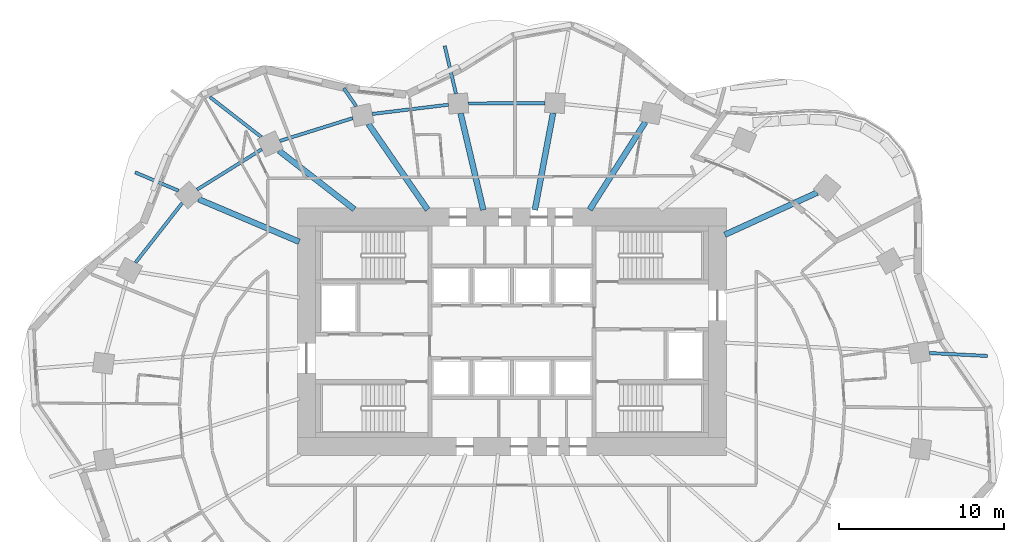
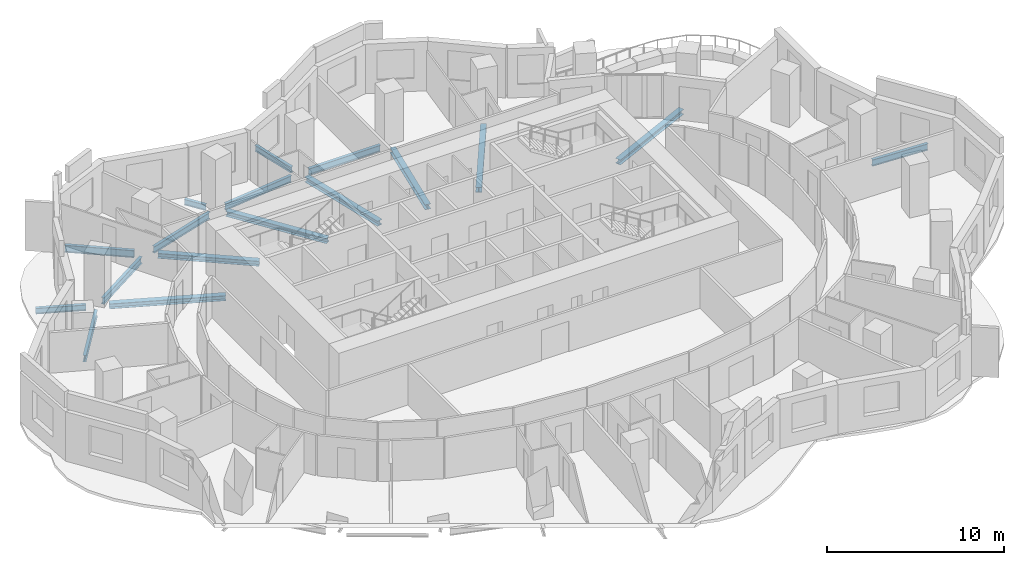
# One storey, part 2 of 14: 17 beams.
"""IFC4 building model written with IfcOpenShell, lengths in metres."""

from ifc_helpers import new_model, si_unit, direction, frame, origin, origin_2d, place, context, subcontext, project, spatial, i_section, extrude, material, material_profile, profile_set, type_object, element, save


model = new_model("IFC4")

# Units and contexts
model_context = context("Model", 3, precision=1e-05, world=origin(), true_north=direction((0.0, 1.0)))
body_context = subcontext(model_context, "Body", "Model", "MODEL_VIEW")
ifc_project = project(units=[si_unit("LENGTHUNIT", "METRE"), si_unit("AREAUNIT", "SQUARE_METRE"), si_unit("VOLUMEUNIT", "CUBIC_METRE"), si_unit("PLANEANGLEUNIT", "RADIAN"), si_unit("MASSUNIT", "GRAM", prefix="KILO")], contexts=[model_context])

# Site, building, storey
site_placement = place(None, origin())
site = spatial("IfcSite", under=ifc_project, at=site_placement, CompositionType="ELEMENT")
building_placement = place(site_placement, origin())
building = spatial("IfcBuilding", under=site, at=building_placement, Name="Rubra Terraces Tower", CompositionType="ELEMENT")
storey_placement = place(building_placement, frame((0.0, 0.0, 103.199951171875)))
storey = spatial("IfcBuildingStorey", under=building, at=storey_placement, Name="L24", CompositionType="ELEMENT", Elevation=103.199951171875)

# Beams
ifc_material = material(Name="Steel Q355B", Category="steel")
ifc_material_profile_1 = material_profile(ifc_material, i_section(OverallWidth=0.199951171875, OverallDepth=0.39990234375, WebThickness=0.008056640625, FlangeThickness=0.012939453125, at=origin_2d()), Name="HN 400x200x8x13")
ifc_profile_set_1 = profile_set([ifc_material_profile_1], Name="Steel Q355B")
beam_type_1 = type_object("IfcBeamType", Name="CANTILEVER BEAM HN 400x200x8x13", PredefinedType="BEAM", material=ifc_profile_set_1)
beam_1_placement = place(storey_placement, frame((-3.39306640625, 18.922119140625, -0.39990234375), z_axis=(-0.229208331065, 0.973377388771, 0.0), x_axis=(-0.973377388771, -0.229208331065, 0.0)))
element("IfcBeam", 1, at=beam_1_placement, inside=storey, type_object=beam_type_1, Name="beam-L24-cant-07", PredefinedType="BEAM", context=body_context, shape_type="SweptSolid", body=[
    extrude(i_section(OverallWidth=0.199951171875, OverallDepth=0.39990234375, WebThickness=0.008056640625, FlangeThickness=0.012939453125, at=origin_2d()), origin(), (0.0, 0.0, 1.0), 2.979248046875),
])
beam_2_placement = place(storey_placement, frame((-20.202880859375, 13.048095703125, -0.39990234375), z_axis=(-0.920934147462, 0.389718226465, 0.0), x_axis=(-0.389718226465, -0.920934147462, 0.0)))
element("IfcBeam", 2, at=beam_2_placement, inside=storey, type_object=beam_type_1, Name="beam-L24-cant-10", PredefinedType="BEAM", context=body_context, shape_type="SweptSolid", body=[
    extrude(i_section(OverallWidth=0.199951171875, OverallDepth=0.39990234375, WebThickness=0.008056640625, FlangeThickness=0.012939453125, at=origin_2d()), origin(), (0.0, 0.0, 1.0), 2.850341796875),
])
ifc_material_profile_2 = material_profile(ifc_material, i_section(OverallWidth=0.198974609375, OverallDepth=0.446044921875, WebThickness=0.008056640625, FlangeThickness=0.011962890625, at=origin_2d()), Name="HN 446x199x8x12")
ifc_profile_set_2 = profile_set([ifc_material_profile_2], Name="Steel Q355B")
beam_type_2 = type_object("IfcBeamType", Name="CANTILEVER BEAM HN 446x199x8x12", PredefinedType="BEAM", material=ifc_profile_set_2)
beam_3_placement = place(storey_placement, frame((25.281982421875, 3.217041015625, -0.4228515625), z_axis=(0.998709471557, -0.050787709356, 0.0), x_axis=(0.050787709356, 0.998709471557, 0.0)))
element("IfcBeam", 3, at=beam_3_placement, inside=storey, type_object=beam_type_2, Name="beam-L24-cant-01", PredefinedType="BEAM", context=body_context, shape_type="SweptSolid", body=[
    extrude(i_section(OverallWidth=0.198974609375, OverallDepth=0.446044921875, WebThickness=0.008056640625, FlangeThickness=0.011962890625, at=origin_2d()), origin(), (0.0, 0.0, 1.0), 3.523681640625),
])
ifc_material_profile_3 = material_profile(ifc_material, i_section(OverallWidth=0.198974609375, OverallDepth=0.49609375, WebThickness=0.009033203125, FlangeThickness=0.013916015625, at=origin_2d()), Name="HN 496x199x9x14")
ifc_profile_set_3 = profile_set([ifc_material_profile_3], Name="Steel Q355B")
beam_type_3 = type_object("IfcBeamType", Name="CANTILEVER BEAM HN 496x199x9x14", PredefinedType="BEAM", material=ifc_profile_set_3)
beam_4_placement = place(storey_placement, frame((-15.177001953125, 16.2958984375, -0.447998046875), z_axis=(-0.789565161109, 0.613666730696, 0.0), x_axis=(-0.613666730696, -0.789565161109, 0.0)))
element("IfcBeam", 4, at=beam_4_placement, inside=storey, type_object=beam_type_3, Name="beam-L24-cant-09", PredefinedType="BEAM", context=body_context, shape_type="SweptSolid", body=[
    extrude(i_section(OverallWidth=0.198974609375, OverallDepth=0.49609375, WebThickness=0.009033203125, FlangeThickness=0.013916015625, at=origin_2d()), origin(), (0.0, 0.0, 1.0), 3.9501953125),
])
ifc_material_profile_4 = material_profile(ifc_material, i_section(OverallWidth=0.199951171875, OverallDepth=0.39990234375, WebThickness=0.008056640625, FlangeThickness=0.012939453125, at=origin_2d()), Name="HN 400x200x8x13")
ifc_profile_set_4 = profile_set([ifc_material_profile_4], Name="Steel Q355B")
beam_type_4 = type_object("IfcBeamType", Name="CANTILEVER STUB HN 400x200x8x13", PredefinedType="BEAM", material=ifc_profile_set_4)
beam_5_placement = place(storey_placement, frame((-9.431884765625, 18.158935546875, -0.39990234375), z_axis=(-0.56825300063, 0.822853891815, 0.0), x_axis=(-0.822853891815, -0.56825300063, 0.0)))
element("IfcBeam", 5, at=beam_5_placement, inside=storey, type_object=beam_type_4, Name="beam-L24-cant-08", PredefinedType="BEAM", context=body_context, shape_type="SweptSolid", body=[
    extrude(i_section(OverallWidth=0.199951171875, OverallDepth=0.39990234375, WebThickness=0.008056640625, FlangeThickness=0.012939453125, at=origin_2d()), origin(), (0.0, 0.0, 1.0), 1.3271484375),
])
ifc_material_profile_5 = material_profile(ifc_material, i_section(OverallWidth=0.35009765625, OverallDepth=0.35009765625, WebThickness=0.011962890625, FlangeThickness=0.01904296875, at=origin_2d()), Name="HW 350x350x12x19")
ifc_profile_set_5 = profile_set([ifc_material_profile_5], Name="Steel Q355B")
beam_type_5 = type_object("IfcBeamType", Name="FLOOR BEAM HW 350x350x12x19", PredefinedType="BEAM", material=ifc_profile_set_5)
beam_6_placement = place(storey_placement, frame((18.486083984375, 12.93310546875, -0.375), z_axis=(-0.909749612827, -0.415157370116, 0.0), x_axis=(0.415157370116, -0.909749612827, 0.0)))
element("IfcBeam", 6, at=beam_6_placement, inside=storey, type_object=beam_type_5, Name="beam-L24-floor-03", PredefinedType="BEAM", context=body_context, shape_type="SweptSolid", body=[
    extrude(i_section(OverallWidth=0.35009765625, OverallDepth=0.35009765625, WebThickness=0.011962890625, FlangeThickness=0.01904296875, at=origin_2d()), origin(), (0.0, 0.0, 1.0), 6.14990234375),
])
beam_7_placement = place(storey_placement, frame((8.075927734375, 17.205078125, -0.375), z_axis=(-0.536468405163, -0.843920405169, 0.0), x_axis=(0.843920405169, -0.536468405163, 0.0)))
element("IfcBeam", 7, at=beam_7_placement, inside=storey, type_object=beam_type_5, Name="beam-L24-floor-05", PredefinedType="BEAM", context=body_context, shape_type="SweptSolid", body=[
    extrude(i_section(OverallWidth=0.35009765625, OverallDepth=0.35009765625, WebThickness=0.011962890625, FlangeThickness=0.01904296875, at=origin_2d()), origin(), (0.0, 0.0, 1.0), 6.28759765625),
])
beam_8_placement = place(storey_placement, frame((2.489990234375, 17.762939453125, -0.375), z_axis=(-0.184505318504, -0.982831515288, 0.0), x_axis=(0.982831515288, -0.184505318504, 0.0)))
element("IfcBeam", 8, at=beam_8_placement, inside=storey, type_object=beam_type_5, Name="beam-L24-floor-06", PredefinedType="BEAM", context=body_context, shape_type="SweptSolid", body=[
    extrude(i_section(OverallWidth=0.35009765625, OverallDepth=0.35009765625, WebThickness=0.011962890625, FlangeThickness=0.01904296875, at=origin_2d()), origin(), (0.0, 0.0, 1.0), 5.983642578125),
])
beam_9_placement = place(storey_placement, frame((-3.114990234375, 17.738037109375, -0.375), z_axis=(0.229084580284, -0.973406520975, 0.0), x_axis=(0.973406520975, 0.229084580284, 0.0)))
element("IfcBeam", 9, at=beam_9_placement, inside=storey, type_object=beam_type_5, Name="beam-L24-floor-07", PredefinedType="BEAM", context=body_context, shape_type="SweptSolid", body=[
    extrude(i_section(OverallWidth=0.35009765625, OverallDepth=0.35009765625, WebThickness=0.011962890625, FlangeThickness=0.01904296875, at=origin_2d()), origin(), (0.0, 0.0, 1.0), 6.014892578125),
])
beam_10_placement = place(storey_placement, frame((-8.694091796875, 17.091064453125, -0.375), z_axis=(0.568116443955, -0.822948179479, 0.0), x_axis=(0.822948179479, 0.568116443955, 0.0)))
element("IfcBeam", 10, at=beam_10_placement, inside=storey, type_object=beam_type_5, Name="beam-L24-floor-08", PredefinedType="BEAM", context=body_context, shape_type="SweptSolid", body=[
    extrude(i_section(OverallWidth=0.35009765625, OverallDepth=0.35009765625, WebThickness=0.011962890625, FlangeThickness=0.01904296875, at=origin_2d()), origin(), (0.0, 0.0, 1.0), 6.306884765625),
])
beam_11_placement = place(storey_placement, frame((-14.10888671875, 15.466064453125, -0.375), z_axis=(0.789514006973, -0.613732541742, 0.0), x_axis=(0.613732541742, 0.789514006973, 0.0)))
element("IfcBeam", 11, at=beam_11_placement, inside=storey, type_object=beam_type_5, Name="beam-L24-floor-09", PredefinedType="BEAM", context=body_context, shape_type="SweptSolid", body=[
    extrude(i_section(OverallWidth=0.35009765625, OverallDepth=0.35009765625, WebThickness=0.011962890625, FlangeThickness=0.01904296875, at=origin_2d()), origin(), (0.0, 0.0, 1.0), 5.76806640625),
])
beam_12_placement = place(storey_placement, frame((-18.98291015625, 12.531982421875, -0.375), z_axis=(0.920986092, -0.389595454726, 0.0), x_axis=(0.389595454726, 0.920986092, 0.0)))
element("IfcBeam", 12, at=beam_12_placement, inside=storey, type_object=beam_type_5, Name="beam-L24-floor-10", PredefinedType="BEAM", context=body_context, shape_type="SweptSolid", body=[
    extrude(i_section(OverallWidth=0.35009765625, OverallDepth=0.35009765625, WebThickness=0.011962890625, FlangeThickness=0.01904296875, at=origin_2d()), origin(), (0.0, 0.0, 1.0), 6.61669921875),
])
ifc_material_profile_6 = material_profile(ifc_material, i_section(OverallWidth=0.198974609375, OverallDepth=0.446044921875, WebThickness=0.008056640625, FlangeThickness=0.011962890625, at=origin_2d()), Name="HN 446x199x8x12")
ifc_profile_set_6 = profile_set([ifc_material_profile_6], Name="Steel Q355B")
beam_type_6 = type_object("IfcBeamType", Name="SPANDREL BEAM HN 446x199x8x12", PredefinedType="SPANDREL", material=ifc_profile_set_6)
beam_13_placement = place(storey_placement, frame((2.0009765625, 18.35498046875, -0.4228515625), z_axis=(-0.99998885538, -0.004721135025, 0.0), x_axis=(0.004721135025, -0.99998885538, 0.0)))
element("IfcBeam", 13, at=beam_13_placement, inside=storey, type_object=beam_type_6, Name="beam-L24-spandrel-06", PredefinedType="SPANDREL", context=body_context, shape_type="SweptSolid", body=[
    extrude(i_section(OverallWidth=0.198974609375, OverallDepth=0.446044921875, WebThickness=0.008056640625, FlangeThickness=0.011962890625, at=origin_2d()), origin(), (0.0, 0.0, 1.0), 4.654052734375),
])
beam_14_placement = place(storey_placement, frame((-3.85107421875, 18.258056640625, -0.4228515625), z_axis=(-0.992713612833, -0.120497646851, 0.0), x_axis=(0.120497646851, -0.992713612833, 0.0)))
element("IfcBeam", 14, at=beam_14_placement, inside=storey, type_object=beam_type_6, Name="beam-L24-spandrel-07", PredefinedType="SPANDREL", context=body_context, shape_type="SweptSolid", body=[
    extrude(i_section(OverallWidth=0.198974609375, OverallDepth=0.446044921875, WebThickness=0.008056640625, FlangeThickness=0.011962890625, at=origin_2d()), origin(), (0.0, 0.0, 1.0), 4.64794921875),
])
beam_15_placement = place(storey_placement, frame((-9.637939453125, 17.445068359375, -0.4228515625), z_axis=(-0.954462184919, -0.298331925142, 0.0), x_axis=(0.298331925142, -0.954462184919, 0.0)))
element("IfcBeam", 15, at=beam_15_placement, inside=storey, type_object=beam_type_6, Name="beam-L24-spandrel-08", PredefinedType="SPANDREL", context=body_context, shape_type="SweptSolid", body=[
    extrude(i_section(OverallWidth=0.198974609375, OverallDepth=0.446044921875, WebThickness=0.008056640625, FlangeThickness=0.011962890625, at=origin_2d()), origin(), (0.0, 0.0, 1.0), 4.63916015625),
])
beam_16_placement = place(storey_placement, frame((-15.156005859375, 15.56103515625, -0.4228515625), z_axis=(-0.848188188849, -0.529695003089, 0.0), x_axis=(0.529695003089, -0.848188188849, 0.0)))
element("IfcBeam", 16, at=beam_16_placement, inside=storey, type_object=beam_type_6, Name="beam-L24-spandrel-09", PredefinedType="SPANDREL", context=body_context, shape_type="SweptSolid", body=[
    extrude(i_section(OverallWidth=0.198974609375, OverallDepth=0.446044921875, WebThickness=0.008056640625, FlangeThickness=0.011962890625, at=origin_2d()), origin(), (0.0, 0.0, 1.0), 4.62158203125),
])
beam_17_placement = place(storey_placement, frame((-19.968994140625, 12.31103515625, -0.4228515625), z_axis=(-0.61694919408, -0.787002980886, 0.0), x_axis=(0.787002980886, -0.61694919408, 0.0)))
element("IfcBeam", 17, at=beam_17_placement, inside=storey, type_object=beam_type_6, Name="beam-L24-spandrel-10", PredefinedType="SPANDREL", context=body_context, shape_type="SweptSolid", body=[
    extrude(i_section(OverallWidth=0.198974609375, OverallDepth=0.446044921875, WebThickness=0.008056640625, FlangeThickness=0.011962890625, at=origin_2d()), origin(), (0.0, 0.0, 1.0), 4.599853515625),
])

save(model, "model.ifc")
